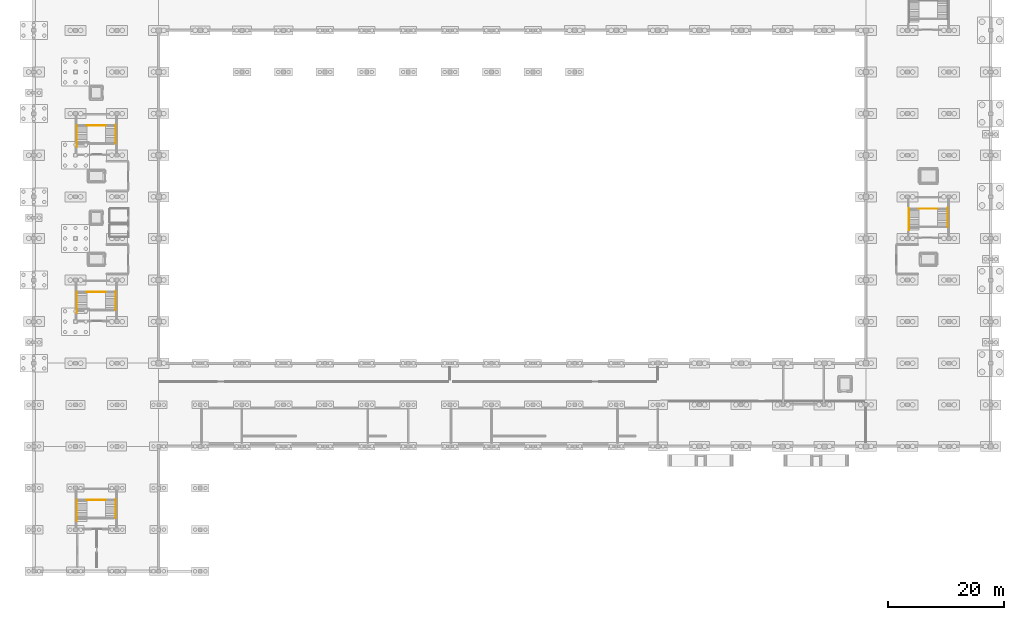
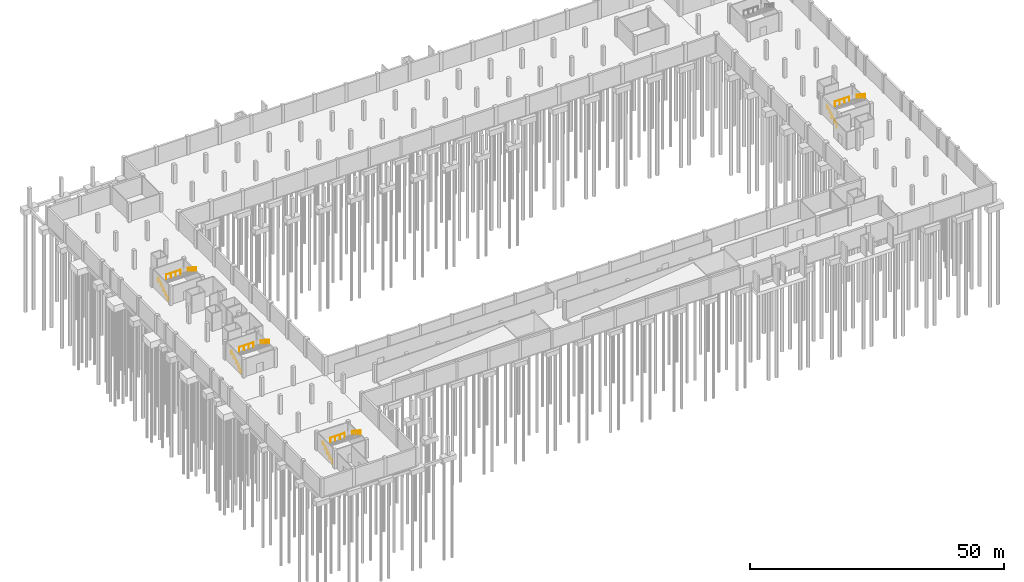
# One storey, part 16 of 18: 12 railings.
"""IFC4 building model written with IfcOpenShell, lengths in metres."""

import ifcopenshell
import ifcopenshell.guid

model = None  # the IFC model being written
_history = None  # IfcOwnerHistory: only IFC2X3 demands one
_inside = {}  # id of a spatial element -> (the spatial element, [elements in it])
_under = {}  # id of a project, library or spatial element -> (it, [spatial elements below it])
_declared = {}  # id of a project -> (the project, [libraries it declares])
_typed = {}  # id of a type object -> (the type object, [elements of that type])
_made_of = {}  # id of a material, layer set ... -> (it, [elements and type objects made of it])


def new_model(schema):
    """Start an empty IFC model of exactly this schema.

    Asked for "IFC4X3", IfcOpenShell would pick the latest addendum, in which some entities
    have other attributes; the version numbers below select the first issue.
    IFC2X3 requires an IfcOwnerHistory on every rooted entity: one is made here for all.
    """
    global model, _history
    if schema == "IFC4X3":
        model = ifcopenshell.file(schema_version=(4, 3, 0, 0))
    else:
        model = ifcopenshell.file(schema=schema)
    _inside.clear()
    _under.clear()
    _declared.clear()
    _typed.clear()
    _made_of.clear()
    _history = None
    if model.schema == "IFC2X3":
        org = make("IfcOrganization", Name="unknown")
        user = make(
            "IfcPersonAndOrganization",
            ThePerson=make("IfcPerson", FamilyName="unknown"),
            TheOrganization=org,
        )
        app = make(
            "IfcApplication",
            ApplicationDeveloper=org,
            Version="unknown",
            ApplicationFullName="unknown",
            ApplicationIdentifier="unknown",
        )
        _history = make(
            "IfcOwnerHistory",
            OwningUser=user,
            OwningApplication=app,
            ChangeAction="ADDED",
            CreationDate=0,
        )
    return model


def make(cls, **values):
    """One entity of the class cls with the attributes given. An attribute that is None is left unset."""
    return model.create_entity(
        cls, **{name: value for name, value in values.items() if value is not None}
    )


def rooted(cls, **values):
    """An entity with a GlobalId (a new one), such as an element, a storey or a relation."""
    return make(cls, GlobalId=ifcopenshell.guid.new(), OwnerHistory=_history, **values)


def si_unit(unit_type, name, prefix=None):
    """IfcSIUnit, for example si_unit("LENGTHUNIT", "METRE", prefix="MILLI")."""
    return make("IfcSIUnit", UnitType=unit_type, Prefix=prefix, Name=name)


def assignment(units):
    """IfcUnitAssignment: the units of a project."""
    return None if units is None else make("IfcUnitAssignment", Units=units)


def point(xyz):
    """IfcCartesianPoint."""
    return None if xyz is None else make("IfcCartesianPoint", Coordinates=xyz)


def direction(xyz):
    """IfcDirection."""
    return None if xyz is None else make("IfcDirection", DirectionRatios=xyz)


def frame(location, z_axis=None, x_axis=None):
    """IfcAxis2Placement3D, a coordinate frame: its origin and axes. An axis left out is left unset."""
    return make(
        "IfcAxis2Placement3D",
        Location=point(location),
        Axis=direction(z_axis),
        RefDirection=direction(x_axis),
    )


def frame_2d(location, x_axis=None):
    """IfcAxis2Placement2D, a coordinate frame in the plane: its origin and x axis."""
    return make(
        "IfcAxis2Placement2D", Location=point(location), RefDirection=direction(x_axis)
    )


def origin():
    """The frame at (0, 0, 0) with its axes left unset."""
    return frame((0.0, 0.0, 0.0))


def origin_2d():
    """The frame at (0, 0) in the plane with its x axis left unset."""
    return frame_2d((0.0, 0.0))


def place(relative_to, where):
    """IfcLocalPlacement: puts the frame where relative to a parent placement (None: the world)."""
    return make(
        "IfcLocalPlacement", PlacementRelTo=relative_to, RelativePlacement=where
    )


def context(
    kind, dimensions, precision=None, world=None, true_north=None, identifier=None
):
    """IfcGeometricRepresentationContext, for example the 3D "Model" context."""
    return make(
        "IfcGeometricRepresentationContext",
        ContextIdentifier=identifier,
        ContextType=kind,
        CoordinateSpaceDimension=dimensions,
        Precision=precision,
        WorldCoordinateSystem=world,
        TrueNorth=true_north,
    )


def subcontext(parent, identifier, kind, view, scale=None):
    """IfcGeometricRepresentationSubContext, for example "Body" below "Model"."""
    return make(
        "IfcGeometricRepresentationSubContext",
        ContextIdentifier=identifier,
        ContextType=kind,
        ParentContext=parent,
        TargetScale=scale,
        TargetView=view,
    )


def project(units=None, contexts=None):
    """IfcProject with its units and contexts."""
    return rooted(
        "IfcProject",
        Name="project",
        RepresentationContexts=contexts,
        UnitsInContext=assignment(units),
    )


def spatial(cls, under=None, at=None, **own):
    """A site, building, storey or space (cls), placed at a placement, below another one or the project."""
    s = rooted(cls, ObjectPlacement=at, **own)
    if under is not None:
        _under.setdefault(under.id(), (under, []))[1].append(s)
    return s


def profile(cls, at=None, kind="AREA", **sizes):
    """A parametric profile (cls). Its sizes go by their IFC names, for example OverallWidth=200.0."""
    return make(cls, ProfileType=kind, Position=at, **sizes)


def circle(**sizes):
    """IfcCircleProfileDef."""
    return profile("IfcCircleProfileDef", **sizes)


def extrude(swept, where, along, depth):
    """IfcExtrudedAreaSolid: the profile swept, set in the frame where, extruded along a direction by depth."""
    return make(
        "IfcExtrudedAreaSolid",
        SweptArea=swept,
        Position=where,
        ExtrudedDirection=direction(along),
        Depth=depth,
    )


def shape(context_of_items, identifier, shape_type, items):
    """IfcShapeRepresentation: the items that make up one representation, for example the "Body"."""
    return make(
        "IfcShapeRepresentation",
        ContextOfItems=context_of_items,
        RepresentationIdentifier=identifier,
        RepresentationType=shape_type,
        Items=items,
    )


def material(Name=None, Category=None):
    """IfcMaterial."""
    return make("IfcMaterial", Name=Name, Category=Category)


def made_of(thing, what):
    """Note that an element or type object is made of a material, layer set ...; save() writes the relation."""
    if what is not None:
        _made_of.setdefault(what.id(), (what, []))[1].append(thing)
    return thing


def type_object(cls, material=None, **own):
    """A type object (cls), such as IfcWallType, which elements share."""
    return made_of(rooted(cls, **own), material)


def element(
    cls,
    number,
    at=None,
    inside=None,
    cuts=None,
    type_object=None,
    material=None,
    context=None,
    identifier="Body",
    shape_type=None,
    held_by="IfcProductDefinitionShape",
    body=None,
    shapes=None,
    **own,
):
    """One element of the class cls, such as IfcWall. Its Tag is "e" and its number.

    at: its placement. inside: the storey or other place that contains it. cuts: it is an
    opening in that element (IfcRelVoidsElement). A single representation is given by context,
    identifier, shape_type and body (its items); several are given by shapes. held_by: the class
    of the entity that holds the representations. save() writes the other relations.
    """
    e = rooted(cls, Tag="e%d" % number, ObjectPlacement=at, **own)
    if body is not None:
        shapes = [shape(context, identifier, shape_type, body)]
    if shapes is not None:
        e.Representation = make(held_by, Representations=shapes)
    if inside is not None:
        _inside.setdefault(inside.id(), (inside, []))[1].append(e)
    if cuts is not None:
        rooted(
            "IfcRelVoidsElement", RelatingBuildingElement=cuts, RelatedOpeningElement=e
        )
    if type_object is not None:
        _typed.setdefault(type_object.id(), (type_object, []))[1].append(e)
    return made_of(e, material)


def aggregate(whole, parts):
    """IfcRelAggregates: a whole, such as a stair, and the parts it consists of."""
    return rooted("IfcRelAggregates", RelatingObject=whole, RelatedObjects=parts)


def save(model, path):
    """Write the relations noted so far, then the file.

    IfcRelAggregates (storeys below a building ...), IfcRelContainedInSpatialStructure (elements
    in a storey), IfcRelDefinesByType, IfcRelAssociatesMaterial and IfcRelDeclares: one each for
    every whole, place, type object, material and project.
    """
    for whole, parts in _under.values():
        aggregate(whole, parts)
    for where, things in _inside.values():
        rooted(
            "IfcRelContainedInSpatialStructure",
            RelatedElements=things,
            RelatingStructure=where,
        )
    for kind, things in _typed.values():
        rooted("IfcRelDefinesByType", RelatedObjects=things, RelatingType=kind)
    for what, things in _made_of.values():
        rooted("IfcRelAssociatesMaterial", RelatedObjects=things, RelatingMaterial=what)
    for by, libraries in _declared.values():
        rooted("IfcRelDeclares", RelatingContext=by, RelatedDefinitions=libraries)
    model.write(path)


model = new_model("IFC4")

# Units and contexts
model_context = context("Model", 3, precision=1e-05, world=origin(), true_north=direction((0.0, 1.0)))
body_context = subcontext(model_context, "Body", "Model", "MODEL_VIEW")
ifc_project = project(units=[si_unit("LENGTHUNIT", "METRE"), si_unit("AREAUNIT", "SQUARE_METRE"), si_unit("VOLUMEUNIT", "CUBIC_METRE"), si_unit("PLANEANGLEUNIT", "RADIAN"), si_unit("MASSUNIT", "GRAM", prefix="KILO")], contexts=[model_context])

# Site, building, storey
site_placement = place(None, origin())
site = spatial("IfcSite", under=ifc_project, at=site_placement, CompositionType="ELEMENT")
building_placement = place(site_placement, origin())
building = spatial("IfcBuilding", under=site, at=building_placement, Name="Kangsadwip Square Police Headquarters", CompositionType="ELEMENT")
storey_placement = place(building_placement, frame((0.0, 0.0, -4.5)))
storey = spatial("IfcBuildingStorey", under=building, at=storey_placement, Name="B1", CompositionType="ELEMENT", Elevation=-4.5)

# Railings
ifc_material_1 = material(Name="Structural steel IS 2062 E250 (Grade 250, 250 MPa)", Category="steel")
railing_type_1 = type_object("IfcRailingType", Name="BalustradeGuard1100", PredefinedType="BALUSTRADE", material=ifc_material_1)
for number, where, name in (
    (1, (9.179931640625, 48.320068359375, 2.340087890625), "Stair Guard ST-01 B1-1"),
    (2, (9.179931640625, 77.1201171875, 2.340087890625), "Stair Guard ST-02 B1-36"),
    (3, (153.179931640625, 62.719970703125, 2.340087890625), "Stair Guard ST-03 B1-71"),
    (4, (9.179931640625, 12.320068359375, 2.340087890625), "Stair Guard ST-08 B1-175"),
):
    element("IfcRailing", number, at=place(storey_placement, frame(where)), inside=storey, type_object=railing_type_1, Name=name, PredefinedType="BALUSTRADE", context=body_context, shape_type="SweptSolid", body=[
        extrude(circle(Radius=0.02392578125, at=origin_2d()), frame((0.0, 0.0, 1.09619140625), z_axis=(1.0, 0.0, 0.0), x_axis=(0.0, 1.0, 0.0)), (0.0, 0.0, 1.0), 3.239990234375),
        extrude(circle(Radius=0.02099609375, at=origin_2d()), origin(), (0.0, 0.0, 1.0), 1.072021484375),
        extrude(circle(Radius=0.02099609375, at=origin_2d()), frame((1.080078125, 0.0, 0.0)), (0.0, 0.0, 1.0), 1.072021484375),
        extrude(circle(Radius=0.02099609375, at=origin_2d()), frame((2.159912109375, 0.0, 0.0)), (0.0, 0.0, 1.0), 1.072021484375),
        extrude(circle(Radius=0.02099609375, at=origin_2d()), frame((3.239990234375, 0.0, 0.0)), (0.0, 0.0, 1.0), 1.072021484375),
    ])
ifc_material_2 = material(Name="Structural steel IS 2062 E250 (Grade 250, 250 MPa)", Category="steel")
railing_type_2 = type_object("IfcRailingType", Name="StairPitchHandrail900", PredefinedType="HANDRAIL", material=ifc_material_2)
railing_1_placement = place(storey_placement, frame((7.43994140625, 44.639892578125, 0.0)))
element("IfcRailing", 5, at=railing_1_placement, inside=storey, type_object=railing_type_2, Name="Stair Handrail ST-01 B1-2", PredefinedType="HANDRAIL", context=body_context, shape_type="SweptSolid", body=[
    extrude(circle(Radius=0.02392578125, at=origin_2d()), frame((0.0, 0.0, 0.8759765625), z_axis=(0.0, 0.846465598547, 0.532443415282), x_axis=(-1.0, 0.0, 0.0)), (0.0, 0.0, 1.0), 4.39501953125),
    extrude(circle(Radius=0.02099609375, at=origin_2d()), origin(), (0.0, 0.0, 1.0), 0.851806640625),
    extrude(circle(Radius=0.02099609375, at=origin_2d()), frame((0.0, 0.93017578125, 0.5849609375)), (0.0, 0.0, 1.0), 0.851806640625),
    extrude(circle(Radius=0.02099609375, at=origin_2d()), frame((0.0, 1.860107421875, 1.169921875)), (0.0, 0.0, 1.0), 0.851806640625),
    extrude(circle(Radius=0.02099609375, at=origin_2d()), frame((0.0, 2.7900390625, 1.755126953125)), (0.0, 0.0, 1.0), 0.851806640625),
    extrude(circle(Radius=0.02099609375, at=origin_2d()), frame((0.0, 3.72021484375, 2.340087890625)), (0.0, 0.0, 1.0), 0.851806640625),
])
railing_2_placement = place(storey_placement, frame((14.159912109375, 48.4599609375, 2.340087890625)))
element("IfcRailing", 6, at=railing_2_placement, inside=storey, type_object=railing_type_2, Name="Stair Handrail ST-01 B1-3", PredefinedType="HANDRAIL", context=body_context, shape_type="SweptSolid", body=[
    extrude(circle(Radius=0.02392578125, at=origin_2d()), frame((0.0, 0.0, 0.8759765625), z_axis=(0.0, -0.835183400731, 0.54997153303), x_axis=(1.0, 0.0, 0.0)), (0.0, 0.0, 1.0), 3.92724609375),
    extrude(circle(Radius=0.02099609375, at=origin_2d()), origin(), (0.0, 0.0, 1.0), 0.851806640625),
    extrude(circle(Radius=0.02099609375, at=origin_2d()), frame((0.0, -0.820068359375, 0.5400390625)), (0.0, 0.0, 1.0), 0.851806640625),
    extrude(circle(Radius=0.02099609375, at=origin_2d()), frame((0.0, -1.64013671875, 1.080078125)), (0.0, 0.0, 1.0), 0.851806640625),
    extrude(circle(Radius=0.02099609375, at=origin_2d()), frame((0.0, -2.4599609375, 1.619873046875)), (0.0, 0.0, 1.0), 0.851806640625),
    extrude(circle(Radius=0.02099609375, at=origin_2d()), frame((0.0, -3.280029296875, 2.159912109375)), (0.0, 0.0, 1.0), 0.851806640625),
])
railing_3_placement = place(storey_placement, frame((7.43994140625, 73.43994140625, 0.0)))
element("IfcRailing", 7, at=railing_3_placement, inside=storey, type_object=railing_type_2, Name="Stair Handrail ST-02 B1-37", PredefinedType="HANDRAIL", context=body_context, shape_type="SweptSolid", body=[
    extrude(circle(Radius=0.02392578125, at=origin_2d()), frame((0.0, 0.0, 0.8759765625), z_axis=(0.0, 0.846449849332, 0.532468452179), x_axis=(-1.0, 0.0, 0.0)), (0.0, 0.0, 1.0), 4.394775390625),
    extrude(circle(Radius=0.02099609375, at=origin_2d()), origin(), (0.0, 0.0, 1.0), 0.851806640625),
    extrude(circle(Radius=0.02099609375, at=origin_2d()), frame((0.0, 0.929931640625, 0.5849609375)), (0.0, 0.0, 1.0), 0.851806640625),
    extrude(circle(Radius=0.02099609375, at=origin_2d()), frame((0.0, 1.85986328125, 1.169921875)), (0.0, 0.0, 1.0), 0.851806640625),
    extrude(circle(Radius=0.02099609375, at=origin_2d()), frame((0.0, 2.7900390625, 1.755126953125)), (0.0, 0.0, 1.0), 0.851806640625),
    extrude(circle(Radius=0.02099609375, at=origin_2d()), frame((0.0, 3.719970703125, 2.340087890625)), (0.0, 0.0, 1.0), 0.851806640625),
])
railing_4_placement = place(storey_placement, frame((14.159912109375, 77.260009765625, 2.340087890625)))
element("IfcRailing", 8, at=railing_4_placement, inside=storey, type_object=railing_type_2, Name="Stair Handrail ST-02 B1-38", PredefinedType="HANDRAIL", context=body_context, shape_type="SweptSolid", body=[
    extrude(circle(Radius=0.02392578125, at=origin_2d()), frame((0.0, 0.0, 0.8759765625), z_axis=(0.0, -0.835183400731, 0.54997153303), x_axis=(1.0, 0.0, 0.0)), (0.0, 0.0, 1.0), 3.92724609375),
    extrude(circle(Radius=0.02099609375, at=origin_2d()), origin(), (0.0, 0.0, 1.0), 0.851806640625),
    extrude(circle(Radius=0.02099609375, at=origin_2d()), frame((0.0, -0.820068359375, 0.5400390625)), (0.0, 0.0, 1.0), 0.851806640625),
    extrude(circle(Radius=0.02099609375, at=origin_2d()), frame((0.0, -1.64013671875, 1.080078125)), (0.0, 0.0, 1.0), 0.851806640625),
    extrude(circle(Radius=0.02099609375, at=origin_2d()), frame((0.0, -2.4599609375, 1.619873046875)), (0.0, 0.0, 1.0), 0.851806640625),
    extrude(circle(Radius=0.02099609375, at=origin_2d()), frame((0.0, -3.280029296875, 2.159912109375)), (0.0, 0.0, 1.0), 0.851806640625),
])
railing_5_placement = place(storey_placement, frame((151.43994140625, 59.0400390625, 0.0)))
element("IfcRailing", 9, at=railing_5_placement, inside=storey, type_object=railing_type_2, Name="Stair Handrail ST-03 B1-72", PredefinedType="HANDRAIL", context=body_context, shape_type="SweptSolid", body=[
    extrude(circle(Radius=0.02392578125, at=origin_2d()), frame((0.0, 0.0, 0.8759765625), z_axis=(0.0, 0.846449849332, 0.532468452179), x_axis=(-1.0, 0.0, 0.0)), (0.0, 0.0, 1.0), 4.394775390625),
    extrude(circle(Radius=0.02099609375, at=origin_2d()), origin(), (0.0, 0.0, 1.0), 0.851806640625),
    extrude(circle(Radius=0.02099609375, at=origin_2d()), frame((0.0, 0.929931640625, 0.5849609375)), (0.0, 0.0, 1.0), 0.851806640625),
    extrude(circle(Radius=0.02099609375, at=origin_2d()), frame((0.0, 1.85986328125, 1.169921875)), (0.0, 0.0, 1.0), 0.851806640625),
    extrude(circle(Radius=0.02099609375, at=origin_2d()), frame((0.0, 2.7900390625, 1.755126953125)), (0.0, 0.0, 1.0), 0.851806640625),
    extrude(circle(Radius=0.02099609375, at=origin_2d()), frame((0.0, 3.719970703125, 2.340087890625)), (0.0, 0.0, 1.0), 0.851806640625),
])
railing_6_placement = place(storey_placement, frame((158.159912109375, 62.860107421875, 2.340087890625)))
element("IfcRailing", 10, at=railing_6_placement, inside=storey, type_object=railing_type_2, Name="Stair Handrail ST-03 B1-73", PredefinedType="HANDRAIL", context=body_context, shape_type="SweptSolid", body=[
    extrude(circle(Radius=0.02392578125, at=origin_2d()), frame((0.0, 0.0, 0.8759765625), z_axis=(0.0, -0.835183400731, 0.54997153303), x_axis=(1.0, 0.0, 0.0)), (0.0, 0.0, 1.0), 3.92724609375),
    extrude(circle(Radius=0.02099609375, at=origin_2d()), origin(), (0.0, 0.0, 1.0), 0.851806640625),
    extrude(circle(Radius=0.02099609375, at=origin_2d()), frame((0.0, -0.820068359375, 0.5400390625)), (0.0, 0.0, 1.0), 0.851806640625),
    extrude(circle(Radius=0.02099609375, at=origin_2d()), frame((0.0, -1.64013671875, 1.080078125)), (0.0, 0.0, 1.0), 0.851806640625),
    extrude(circle(Radius=0.02099609375, at=origin_2d()), frame((0.0, -2.4599609375, 1.619873046875)), (0.0, 0.0, 1.0), 0.851806640625),
    extrude(circle(Radius=0.02099609375, at=origin_2d()), frame((0.0, -3.280029296875, 2.159912109375)), (0.0, 0.0, 1.0), 0.851806640625),
])
railing_7_placement = place(storey_placement, frame((7.43994140625, 8.639892578125, 0.0)))
element("IfcRailing", 11, at=railing_7_placement, inside=storey, type_object=railing_type_2, Name="Stair Handrail ST-08 B1-176", PredefinedType="HANDRAIL", context=body_context, shape_type="SweptSolid", body=[
    extrude(circle(Radius=0.02392578125, at=origin_2d()), frame((0.0, 0.0, 0.8759765625), z_axis=(0.0, 0.846465598547, 0.532443415282), x_axis=(-1.0, 0.0, 0.0)), (0.0, 0.0, 1.0), 4.39501953125),
    extrude(circle(Radius=0.02099609375, at=origin_2d()), origin(), (0.0, 0.0, 1.0), 0.851806640625),
    extrude(circle(Radius=0.02099609375, at=origin_2d()), frame((0.0, 0.93017578125, 0.5849609375)), (0.0, 0.0, 1.0), 0.851806640625),
    extrude(circle(Radius=0.02099609375, at=origin_2d()), frame((0.0, 1.860107421875, 1.169921875)), (0.0, 0.0, 1.0), 0.851806640625),
    extrude(circle(Radius=0.02099609375, at=origin_2d()), frame((0.0, 2.7900390625, 1.755126953125)), (0.0, 0.0, 1.0), 0.851806640625),
    extrude(circle(Radius=0.02099609375, at=origin_2d()), frame((0.0, 3.72021484375, 2.340087890625)), (0.0, 0.0, 1.0), 0.851806640625),
])
railing_8_placement = place(storey_placement, frame((14.159912109375, 12.4599609375, 2.340087890625)))
element("IfcRailing", 12, at=railing_8_placement, inside=storey, type_object=railing_type_2, Name="Stair Handrail ST-08 B1-177", PredefinedType="HANDRAIL", context=body_context, shape_type="SweptSolid", body=[
    extrude(circle(Radius=0.02392578125, at=origin_2d()), frame((0.0, 0.0, 0.8759765625), z_axis=(0.0, -0.835183400731, 0.54997153303), x_axis=(1.0, 0.0, 0.0)), (0.0, 0.0, 1.0), 3.92724609375),
    extrude(circle(Radius=0.02099609375, at=origin_2d()), origin(), (0.0, 0.0, 1.0), 0.851806640625),
    extrude(circle(Radius=0.02099609375, at=origin_2d()), frame((0.0, -0.820068359375, 0.5400390625)), (0.0, 0.0, 1.0), 0.851806640625),
    extrude(circle(Radius=0.02099609375, at=origin_2d()), frame((0.0, -1.64013671875, 1.080078125)), (0.0, 0.0, 1.0), 0.851806640625),
    extrude(circle(Radius=0.02099609375, at=origin_2d()), frame((0.0, -2.4599609375, 1.619873046875)), (0.0, 0.0, 1.0), 0.851806640625),
    extrude(circle(Radius=0.02099609375, at=origin_2d()), frame((0.0, -3.280029296875, 2.159912109375)), (0.0, 0.0, 1.0), 0.851806640625),
])

save(model, "model.ifc")
